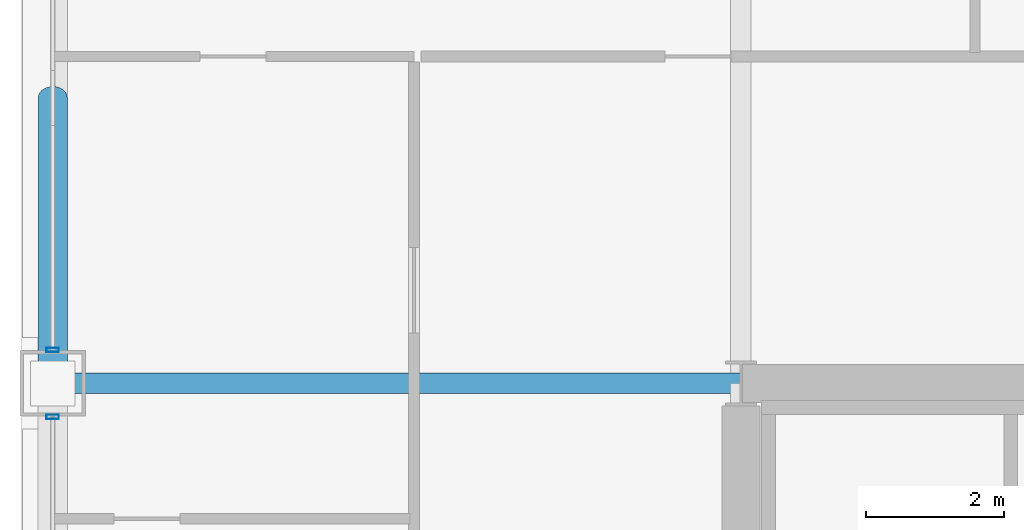
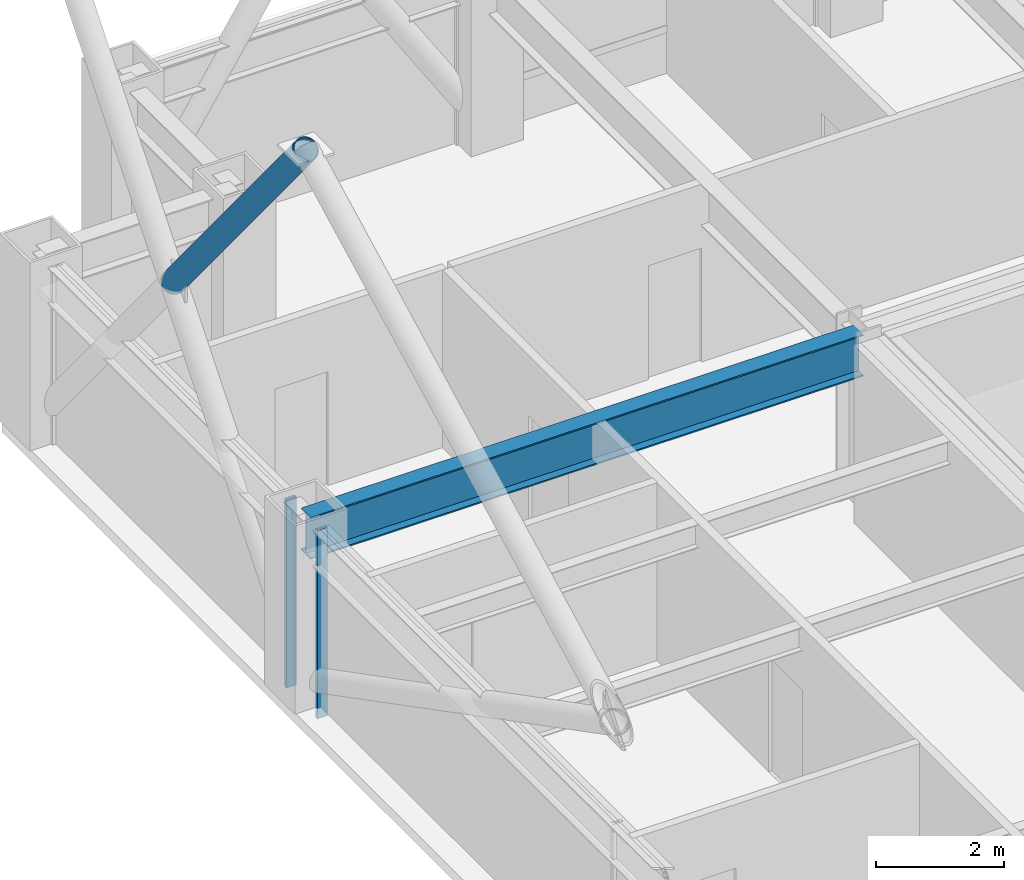
# One storey, part 17 of 34: 3 members, 1 beam, 2 elements without a shape of their own.
"""IFC4 building model written with IfcOpenShell, lengths in metres."""

from ifc_helpers import new_model, si_unit, direction, frame, origin, origin_2d, place, context, subcontext, project, spatial, hollow_rectangle, hollow_circle, i_section, extrude, material, layer, layer_set, material_profile, profile_set, type_object, element, aggregate, save


model = new_model("IFC4")

# Units and contexts
model_context = context("Model", 3, precision=1e-05, world=origin(), true_north=direction((0.0, 1.0)))
body_context = subcontext(model_context, "Body", "Model", "MODEL_VIEW")
ifc_project = project(units=[si_unit("LENGTHUNIT", "METRE"), si_unit("AREAUNIT", "SQUARE_METRE"), si_unit("VOLUMEUNIT", "CUBIC_METRE"), si_unit("PLANEANGLEUNIT", "RADIAN"), si_unit("MASSUNIT", "GRAM", prefix="KILO")], contexts=[model_context])

# Site, building, storey
site_placement = place(None, origin())
site = spatial("IfcSite", under=ifc_project, at=site_placement, CompositionType="ELEMENT")
building_placement = place(site_placement, origin())
building = spatial("IfcBuilding", under=site, at=building_placement, Name="Brelmoor Portico Tower", CompositionType="ELEMENT")
storey_placement = place(building_placement, frame((0.0, 0.0, 45.60009765625)))
storey = spatial("IfcBuildingStorey", under=building, at=storey_placement, Name="L11", CompositionType="ELEMENT", Elevation=45.60009765625)

# Beam
ifc_material_1 = material(Name="Steel Q355B", Category="steel")
ifc_material_profile_1 = material_profile(ifc_material_1, i_section(OverallWidth=0.300048828125, OverallDepth=0.800048828125, WebThickness=0.013916015625, FlangeThickness=0.02587890625, at=origin_2d()), Name="HN 800x300x14x26")
ifc_profile_set_1 = profile_set([ifc_material_profile_1], Name="Steel Q355B")
beam_type = type_object("IfcBeamType", Name="BM-PG-800", PredefinedType="BEAM", material=ifc_profile_set_1)
beam_placement = place(storey_placement, frame((-24.550048828125, 9.75, 3.0), z_axis=(1.0, 0.0, 0.0), x_axis=(0.0, 1.0, 0.0)))
element("IfcBeam", 1, at=beam_placement, inside=storey, type_object=beam_type, Name="L11 Primary Floor Girder PG-27", PredefinedType="BEAM", context=body_context, shape_type="SweptSolid", body=[
    extrude(i_section(OverallWidth=0.300048828125, OverallDepth=0.800048828125, WebThickness=0.013916015625, FlangeThickness=0.02587890625, at=origin_2d()), origin(), (0.0, 0.0, 1.0), 10.0),
])

# Member
ifc_material_profile_2 = material_profile(ifc_material_1, hollow_circle(Radius=0.212890625, WallThickness=0.02001953125, at=origin_2d()), Name="CHS 426x20")
ifc_profile_set_2 = profile_set([ifc_material_profile_2], Name="Steel Q355B")
member_type_1 = type_object("IfcMemberType", Name="MB-BELT-DIAG1", PredefinedType="BRACE", material=ifc_profile_set_2)
member_1_placement = place(storey_placement, frame((-24.550048828125, 13.89990234375, 5.2998046875), z_axis=(0.0, -0.634889952641, 0.772602580914), x_axis=(1.0, 0.0, 0.0)))
element("IfcMember", 2, at=member_1_placement, inside=storey, type_object=member_type_1, Name="L11 Split Mega-X Brace 023B2", PredefinedType="BRACE", context=body_context, shape_type="SweptSolid", body=[
    extrude(hollow_circle(Radius=0.212890625, WallThickness=0.02001953125, at=origin_2d()), origin(), (0.0, 0.0, 1.0), 6.536376953125),
])

# Curtain wall, member
ifc_material_2 = material(Name="Anodised Aluminium Alloy 6063-T6", Category="aluminium")
ifc_layer = layer(ifc_material_2, 0.179931640625)
ifc_layer_set = layer_set([ifc_layer], Name="Anodised Aluminium Alloy 6063-T6")
curtain_wall_type = type_object("IfcCurtainWallType", Name="CW-TOWER-Z1-XB", PredefinedType="NOTDEFINED", material=ifc_layer_set)
curtain_wall_1_placement = place(storey_placement, origin())
curtain_wall_1 = element("IfcCurtainWall", 3, at=curtain_wall_1_placement, inside=storey, type_object=curtain_wall_type, Name="L11 Curtain Wall CW-L11-03-2", PredefinedType="NOTDEFINED")
ifc_material_profile_3 = material_profile(ifc_material_2, hollow_rectangle(XDim=0.06494140625, YDim=0.179931640625, WallThickness=0.00390625, at=origin_2d()), Name="ALU MULLION 65x180")
ifc_profile_set_3 = profile_set([ifc_material_profile_3], Name="Anodised Aluminium Alloy 6063-T6")
member_type_2 = type_object("IfcMemberType", Name="MB-CW-MULL-180", PredefinedType="MULLION", material=ifc_profile_set_3)
member_2_placement = place(storey_placement, frame((-24.550048828125, 9.264892578125, -0.2001953125), z_axis=(0.0, 0.0, 1.0), x_axis=(0.0, 1.0, 0.0)))
member_2 = element("IfcMember", 4, at=member_2_placement, type_object=member_type_2, Name="CW-L11-03-2 Mullion 02", PredefinedType="MULLION", context=body_context, shape_type="SweptSolid", body=[
    extrude(hollow_rectangle(XDim=0.06494140625, YDim=0.179931640625, WallThickness=0.00390625, at=origin_2d()), origin(), (0.0, 0.0, 1.0), 3.60009765625),
])
aggregate(curtain_wall_1, [member_2])

curtain_wall_2_placement = place(storey_placement, origin())
curtain_wall_2 = element("IfcCurtainWall", 5, at=curtain_wall_2_placement, inside=storey, type_object=curtain_wall_type, Name="L11 Curtain Wall CW-L11-03-3", PredefinedType="NOTDEFINED")
member_3_placement = place(storey_placement, frame((-24.550048828125, 10.235107421875, -0.2001953125), z_axis=(0.0, 0.0, 1.0), x_axis=(0.0, 1.0, 0.0)))
member_3 = element("IfcMember", 6, at=member_3_placement, type_object=member_type_2, Name="CW-L11-03-3 Mullion 00", PredefinedType="MULLION", context=body_context, shape_type="SweptSolid", body=[
    extrude(hollow_rectangle(XDim=0.06494140625, YDim=0.179931640625, WallThickness=0.00390625, at=origin_2d()), origin(), (0.0, 0.0, 1.0), 3.60009765625),
])
aggregate(curtain_wall_2, [member_3])

save(model, "model.ifc")
